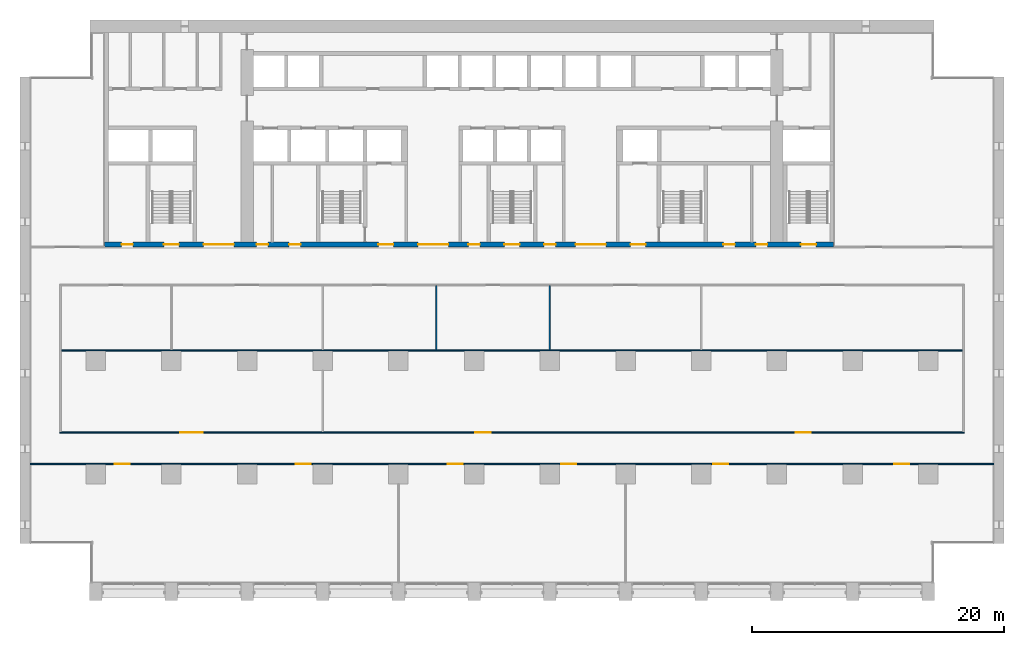
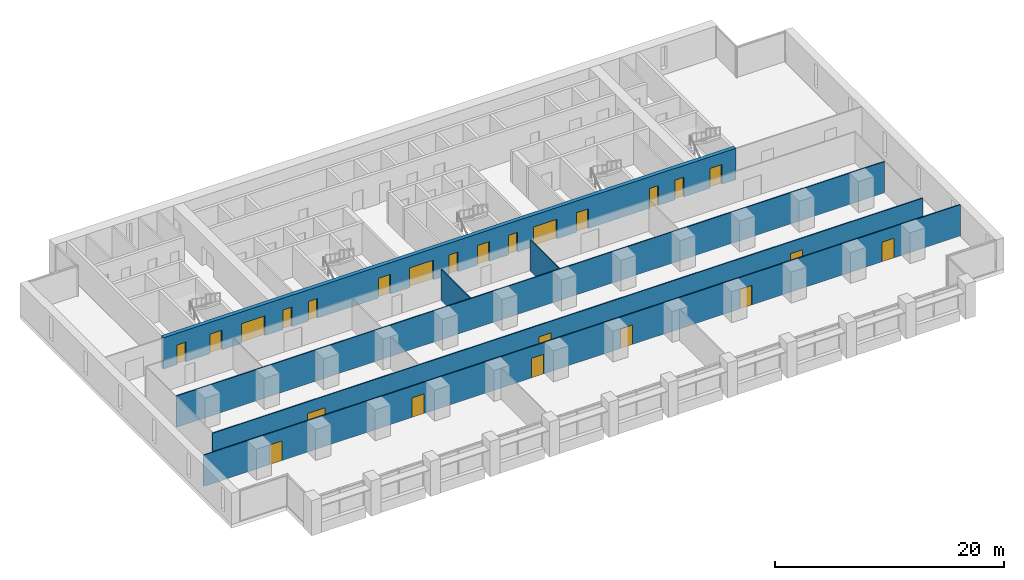
# One storey, part 9 of 17: 24 doors, 6 walls, 24 openings.
"""IFC4 building model written with IfcOpenShell, lengths in metres."""

from ifc_helpers import new_model, si_unit, direction, frame, frame_2d, origin, place, context, subcontext, project, spatial, rectangle, extrude, material, layer, layer_set, type_object, element, fill, save


model = new_model("IFC4")

# Units and contexts
model_context = context("Model", 3, precision=1e-05, world=origin(), true_north=direction((0.0, 1.0)))
body_context = subcontext(model_context, "Body", "Model", "MODEL_VIEW")
ifc_project = project(units=[si_unit("LENGTHUNIT", "METRE"), si_unit("AREAUNIT", "SQUARE_METRE"), si_unit("VOLUMEUNIT", "CUBIC_METRE"), si_unit("PLANEANGLEUNIT", "RADIAN"), si_unit("MASSUNIT", "GRAM", prefix="KILO")], contexts=[model_context])

# Site, building, storey
site_placement = place(None, origin())
site = spatial("IfcSite", under=ifc_project, at=site_placement, CompositionType="ELEMENT")
building_placement = place(site_placement, origin())
building = spatial("IfcBuilding", under=site, at=building_placement, Name="Calvaro Tower", CompositionType="ELEMENT")
storey_placement = place(building_placement, frame((0.0, 0.0, 75.0)))
storey = spatial("IfcBuildingStorey", under=building, at=storey_placement, Name="L18", CompositionType="ELEMENT", Elevation=75.0)

# Wall, openings, doors
ifc_material_1 = material(Name="Concrete C80/95", Category="concrete")
ifc_layer_1 = layer(ifc_material_1, 0.39990234375)
ifc_layer_set_1 = layer_set([ifc_layer_1], Name="Concrete C80/95")
wall_type_1 = type_object("IfcWallType", Name="Core wall C80/95 400", PredefinedType="SHEAR", material=ifc_layer_set_1)
wall_1_placement = place(storey_placement, frame((6.699951171875, 28.199951171875, 0.0), z_axis=(0.0, 0.0, 1.0), x_axis=(1.0, 0.0, 0.0)))
wall_1 = element("IfcWall", 1, at=wall_1_placement, inside=storey, type_object=wall_type_1, Name="Core wall, front", PredefinedType="SHEAR", context=body_context, shape_type="SweptSolid", body=[
    extrude(rectangle(XDim=57.800048828125, YDim=0.39990234375, at=frame_2d((28.89990234375, 0.0))), origin(), (0.0, 0.0, 1.0), 3.35009765625),
])
opening_1_placement = place(wall_1_placement, frame((12.0625, 0.0, 0.0)))
opening_1 = element("IfcOpeningElement", 2, at=opening_1_placement, cuts=wall_1, Name="Opening RD9C", PredefinedType="OPENING", context=body_context, shape_type="SweptSolid", body=[
    extrude(rectangle(XDim=0.89990234375, YDim=2.10009765625, at=frame_2d((0.449951171875, 1.050048828125))), frame((0.0, 0.2099609375, 0.0), z_axis=(0.0, -1.0, 0.0), x_axis=(1.0, 0.0, 0.0)), (0.0, 0.0, 1.0), 0.419921875),
])
opening_2_placement = place(wall_1_placement, frame((14.637451171875, 0.0, 0.0)))
opening_2 = element("IfcOpeningElement", 3, at=opening_2_placement, cuts=wall_1, Name="Opening RD9E", PredefinedType="OPENING", context=body_context, shape_type="SweptSolid", body=[
    extrude(rectangle(XDim=0.89990234375, YDim=2.10009765625, at=frame_2d((0.449951171875, 1.050048828125))), frame((0.0, 0.2099609375, 0.0), z_axis=(0.0, -1.0, 0.0), x_axis=(1.0, 0.0, 0.0)), (0.0, 0.0, 1.0), 0.419921875),
])
opening_3_placement = place(wall_1_placement, frame((49.0625, 0.0, 0.0)))
opening_3 = element("IfcOpeningElement", 4, at=opening_3_placement, cuts=wall_1, Name="Opening RD9E", PredefinedType="OPENING", context=body_context, shape_type="SweptSolid", body=[
    extrude(rectangle(XDim=0.89990234375, YDim=2.10009765625, at=frame_2d((0.449951171875, 1.050048828125))), frame((0.0, 0.2099609375, 0.0), z_axis=(0.0, -1.0, 0.0), x_axis=(1.0, 0.0, 0.0)), (0.0, 0.0, 1.0), 0.419921875),
])
opening_4_placement = place(wall_1_placement, frame((51.637451171875, 0.0, 0.0)))
opening_4 = element("IfcOpeningElement", 5, at=opening_4_placement, cuts=wall_1, Name="Opening RD9C", PredefinedType="OPENING", context=body_context, shape_type="SweptSolid", body=[
    extrude(rectangle(XDim=0.89990234375, YDim=2.10009765625, at=frame_2d((0.449951171875, 1.050048828125))), frame((0.0, 0.2099609375, 0.0), z_axis=(0.0, -1.0, 0.0), x_axis=(1.0, 0.0, 0.0)), (0.0, 0.0, 1.0), 0.419921875),
])
opening_5_placement = place(wall_1_placement, frame((1.35009765625, 0.0, 0.0)))
opening_5 = element("IfcOpeningElement", 6, at=opening_5_placement, cuts=wall_1, Name="Opening RD9E", PredefinedType="OPENING", context=body_context, shape_type="SweptSolid", body=[
    extrude(rectangle(XDim=0.89990234375, YDim=2.10009765625, at=frame_2d((0.449951171875, 1.050048828125))), frame((0.0, 0.2099609375, 0.0), z_axis=(0.0, -1.0, 0.0), x_axis=(1.0, 0.0, 0.0)), (0.0, 0.0, 1.0), 0.419921875),
])
opening_6_placement = place(wall_1_placement, frame((4.699951171875, 0.0, 0.0)))
opening_6 = element("IfcOpeningElement", 7, at=opening_6_placement, cuts=wall_1, Name="Opening SD12D", PredefinedType="OPENING", context=body_context, shape_type="SweptSolid", body=[
    extrude(rectangle(XDim=1.199951171875, YDim=2.10009765625, at=frame_2d((0.60009765625, 1.050048828125))), frame((0.0, 0.2099609375, 0.0), z_axis=(0.0, -1.0, 0.0), x_axis=(1.0, 0.0, 0.0)), (0.0, 0.0, 1.0), 0.419921875),
])
opening_7_placement = place(wall_1_placement, frame((31.699951171875, 0.0, 0.0)))
opening_7 = element("IfcOpeningElement", 8, at=opening_7_placement, cuts=wall_1, Name="Opening SD12D", PredefinedType="OPENING", context=body_context, shape_type="SweptSolid", body=[
    extrude(rectangle(XDim=1.199951171875, YDim=2.10009765625, at=frame_2d((0.60009765625, 1.050048828125))), frame((0.0, 0.2099609375, 0.0), z_axis=(0.0, -1.0, 0.0), x_axis=(1.0, 0.0, 0.0)), (0.0, 0.0, 1.0), 0.419921875),
])
opening_8_placement = place(wall_1_placement, frame((55.199951171875, 0.0, 0.0)))
opening_8 = element("IfcOpeningElement", 9, at=opening_8_placement, cuts=wall_1, Name="Opening SD12D", PredefinedType="OPENING", context=body_context, shape_type="SweptSolid", body=[
    extrude(rectangle(XDim=1.199951171875, YDim=2.10009765625, at=frame_2d((0.60009765625, 1.050048828125))), frame((0.0, 0.2099609375, 0.0), z_axis=(0.0, -1.0, 0.0), x_axis=(1.0, 0.0, 0.0)), (0.0, 0.0, 1.0), 0.419921875),
])
opening_9_placement = place(wall_1_placement, frame((21.699951171875, 0.0, 0.0)))
opening_9 = element("IfcOpeningElement", 10, at=opening_9_placement, cuts=wall_1, Name="Opening FD12F", PredefinedType="OPENING", context=body_context, shape_type="SweptSolid", body=[
    extrude(rectangle(XDim=1.199951171875, YDim=2.10009765625, at=frame_2d((0.60009765625, 1.050048828125))), frame((0.0, 0.2099609375, 0.0), z_axis=(0.0, -1.0, 0.0), x_axis=(1.0, 0.0, 0.0)), (0.0, 0.0, 1.0), 0.419921875),
])
opening_10_placement = place(wall_1_placement, frame((41.699951171875, 0.0, 0.0)))
opening_10 = element("IfcOpeningElement", 11, at=opening_10_placement, cuts=wall_1, Name="Opening FD12F", PredefinedType="OPENING", context=body_context, shape_type="SweptSolid", body=[
    extrude(rectangle(XDim=1.199951171875, YDim=2.10009765625, at=frame_2d((0.60009765625, 1.050048828125))), frame((0.0, 0.2099609375, 0.0), z_axis=(0.0, -1.0, 0.0), x_axis=(1.0, 0.0, 0.0)), (0.0, 0.0, 1.0), 0.419921875),
])
opening_11_placement = place(wall_1_placement, frame((24.85009765625, 0.0, 0.0)))
opening_11 = element("IfcOpeningElement", 12, at=opening_11_placement, cuts=wall_1, Name="Opening DD24D", PredefinedType="OPENING", context=body_context, shape_type="SweptSolid", body=[
    extrude(rectangle(XDim=2.39990234375, YDim=2.10009765625, at=frame_2d((1.199951171875, 1.050048828125))), frame((0.0, 0.2099609375, 0.0), z_axis=(0.0, -1.0, 0.0), x_axis=(1.0, 0.0, 0.0)), (0.0, 0.0, 1.0), 0.419921875),
])
opening_12_placement = place(wall_1_placement, frame((37.35009765625, 0.0, 0.0)))
opening_12 = element("IfcOpeningElement", 13, at=opening_12_placement, cuts=wall_1, Name="Opening DD24D", PredefinedType="OPENING", context=body_context, shape_type="SweptSolid", body=[
    extrude(rectangle(XDim=2.39990234375, YDim=2.10009765625, at=frame_2d((1.199951171875, 1.050048828125))), frame((0.0, 0.2099609375, 0.0), z_axis=(0.0, -1.0, 0.0), x_axis=(1.0, 0.0, 0.0)), (0.0, 0.0, 1.0), 0.419921875),
])
opening_13_placement = place(wall_1_placement, frame((7.85009765625, 0.0, 0.0)))
opening_13 = element("IfcOpeningElement", 14, at=opening_13_placement, cuts=wall_1, Name="Opening DD24D", PredefinedType="OPENING", context=body_context, shape_type="SweptSolid", body=[
    extrude(rectangle(XDim=2.39990234375, YDim=2.10009765625, at=frame_2d((1.199951171875, 1.050048828125))), frame((0.0, 0.2099609375, 0.0), z_axis=(0.0, -1.0, 0.0), x_axis=(1.0, 0.0, 0.0)), (0.0, 0.0, 1.0), 0.419921875),
])
opening_14_placement = place(wall_1_placement, frame((28.85009765625, 0.0, 0.0)))
opening_14 = element("IfcOpeningElement", 15, at=opening_14_placement, cuts=wall_1, Name="Opening RD9E", PredefinedType="OPENING", context=body_context, shape_type="SweptSolid", body=[
    extrude(rectangle(XDim=0.89990234375, YDim=2.10009765625, at=frame_2d((0.449951171875, 1.050048828125))), frame((0.0, 0.2099609375, 0.0), z_axis=(0.0, -1.0, 0.0), x_axis=(1.0, 0.0, 0.0)), (0.0, 0.0, 1.0), 0.419921875),
])
opening_15_placement = place(wall_1_placement, frame((34.85009765625, 0.0, 0.0)))
opening_15 = element("IfcOpeningElement", 16, at=opening_15_placement, cuts=wall_1, Name="Opening RD9E", PredefinedType="OPENING", context=body_context, shape_type="SweptSolid", body=[
    extrude(rectangle(XDim=0.89990234375, YDim=2.10009765625, at=frame_2d((0.449951171875, 1.050048828125))), frame((0.0, 0.2099609375, 0.0), z_axis=(0.0, -1.0, 0.0), x_axis=(1.0, 0.0, 0.0)), (0.0, 0.0, 1.0), 0.419921875),
])
ifc_material_2 = material(Name="Steel door set", Category="steel")
door_type_1 = type_object("IfcDoorType", Name="Fire door 1200 FD60S", OperationType="SINGLE_SWING_LEFT", PredefinedType="DOOR", material=ifc_material_2)
door_1_placement = place(opening_9_placement, origin())
door_1 = element("IfcDoor", 17, at=door_1_placement, inside=storey, type_object=door_type_1, Name="Fire door", OperationType="SINGLE_SWING_LEFT", OverallHeight=2.10009765625, OverallWidth=1.199951171875, PredefinedType="DOOR", context=body_context, shape_type="SweptSolid", body=[
    extrude(rectangle(XDim=1.199951171875, YDim=2.10009765625, at=frame_2d((0.60009765625, 1.050048828125))), frame((0.0, 0.02490234375, 0.0), z_axis=(0.0, -1.0, 0.0), x_axis=(1.0, 0.0, 0.0)), (0.0, 0.0, 1.0), 0.050048828125),
])
fill(opening_9, door_1)
door_2_placement = place(opening_10_placement, origin())
door_2 = element("IfcDoor", 18, at=door_2_placement, inside=storey, type_object=door_type_1, Name="Fire door", OperationType="SINGLE_SWING_LEFT", OverallHeight=2.10009765625, OverallWidth=1.199951171875, PredefinedType="DOOR", context=body_context, shape_type="SweptSolid", body=[
    extrude(rectangle(XDim=1.199951171875, YDim=2.10009765625, at=frame_2d((0.60009765625, 1.050048828125))), frame((0.0, 0.02490234375, 0.0), z_axis=(0.0, -1.0, 0.0), x_axis=(1.0, 0.0, 0.0)), (0.0, 0.0, 1.0), 0.050048828125),
])
fill(opening_10, door_2)
ifc_material_3 = material(Name="Steel door set", Category="steel")
door_type_2 = type_object("IfcDoorType", Name="Lobby double door 2400 FD30S", OperationType="DOUBLE_DOOR_SINGLE_SWING", PredefinedType="DOOR", material=ifc_material_3)
door_3_placement = place(opening_11_placement, origin())
door_3 = element("IfcDoor", 19, at=door_3_placement, inside=storey, type_object=door_type_2, Name="Lobby double door", OperationType="DOUBLE_DOOR_SINGLE_SWING", OverallHeight=2.10009765625, OverallWidth=2.39990234375, PredefinedType="DOOR", context=body_context, shape_type="SweptSolid", body=[
    extrude(rectangle(XDim=2.39990234375, YDim=2.10009765625, at=frame_2d((1.199951171875, 1.050048828125))), frame((0.0, 0.02490234375, 0.0), z_axis=(0.0, -1.0, 0.0), x_axis=(1.0, 0.0, 0.0)), (0.0, 0.0, 1.0), 0.050048828125),
])
fill(opening_11, door_3)
door_4_placement = place(opening_12_placement, origin())
door_4 = element("IfcDoor", 20, at=door_4_placement, inside=storey, type_object=door_type_2, Name="Lobby double door", OperationType="DOUBLE_DOOR_SINGLE_SWING", OverallHeight=2.10009765625, OverallWidth=2.39990234375, PredefinedType="DOOR", context=body_context, shape_type="SweptSolid", body=[
    extrude(rectangle(XDim=2.39990234375, YDim=2.10009765625, at=frame_2d((1.199951171875, 1.050048828125))), frame((0.0, 0.02490234375, 0.0), z_axis=(0.0, -1.0, 0.0), x_axis=(1.0, 0.0, 0.0)), (0.0, 0.0, 1.0), 0.050048828125),
])
fill(opening_12, door_4)
door_5_placement = place(opening_13_placement, origin())
door_5 = element("IfcDoor", 21, at=door_5_placement, inside=storey, type_object=door_type_2, Name="Lobby double door", OperationType="DOUBLE_DOOR_SINGLE_SWING", OverallHeight=2.10009765625, OverallWidth=2.39990234375, PredefinedType="DOOR", context=body_context, shape_type="SweptSolid", body=[
    extrude(rectangle(XDim=2.39990234375, YDim=2.10009765625, at=frame_2d((1.199951171875, 1.050048828125))), frame((0.0, 0.02490234375, 0.0), z_axis=(0.0, -1.0, 0.0), x_axis=(1.0, 0.0, 0.0)), (0.0, 0.0, 1.0), 0.050048828125),
])
fill(opening_13, door_5)
ifc_material_4 = material(Name="Steel door set", Category="steel")
door_type_3 = type_object("IfcDoorType", Name="Room door 900 FD30", OperationType="SINGLE_SWING_LEFT", PredefinedType="DOOR", material=ifc_material_4)
door_6_placement = place(opening_1_placement, origin())
door_6 = element("IfcDoor", 22, at=door_6_placement, inside=storey, type_object=door_type_3, Name="Room door", OperationType="SINGLE_SWING_LEFT", OverallHeight=2.10009765625, OverallWidth=0.89990234375, PredefinedType="DOOR", context=body_context, shape_type="SweptSolid", body=[
    extrude(rectangle(XDim=0.89990234375, YDim=2.10009765625, at=frame_2d((0.449951171875, 1.050048828125))), frame((0.0, 0.02490234375, 0.0), z_axis=(0.0, -1.0, 0.0), x_axis=(1.0, 0.0, 0.0)), (0.0, 0.0, 1.0), 0.050048828125),
])
fill(opening_1, door_6)
door_7_placement = place(opening_4_placement, origin())
door_7 = element("IfcDoor", 23, at=door_7_placement, inside=storey, type_object=door_type_3, Name="Room door", OperationType="SINGLE_SWING_LEFT", OverallHeight=2.10009765625, OverallWidth=0.89990234375, PredefinedType="DOOR", context=body_context, shape_type="SweptSolid", body=[
    extrude(rectangle(XDim=0.89990234375, YDim=2.10009765625, at=frame_2d((0.449951171875, 1.050048828125))), frame((0.0, 0.02490234375, 0.0), z_axis=(0.0, -1.0, 0.0), x_axis=(1.0, 0.0, 0.0)), (0.0, 0.0, 1.0), 0.050048828125),
])
fill(opening_4, door_7)
ifc_material_5 = material(Name="Steel door set", Category="steel")
door_type_4 = type_object("IfcDoorType", Name="Room door 900 FD60", OperationType="SINGLE_SWING_LEFT", PredefinedType="DOOR", material=ifc_material_5)
door_8_placement = place(opening_2_placement, origin())
door_8 = element("IfcDoor", 24, at=door_8_placement, inside=storey, type_object=door_type_4, Name="Room door", OperationType="SINGLE_SWING_RIGHT", OverallHeight=2.10009765625, OverallWidth=0.89990234375, PredefinedType="DOOR", context=body_context, shape_type="SweptSolid", body=[
    extrude(rectangle(XDim=0.89990234375, YDim=2.10009765625, at=frame_2d((0.449951171875, 1.050048828125))), frame((0.0, 0.02490234375, 0.0), z_axis=(0.0, -1.0, 0.0), x_axis=(1.0, 0.0, 0.0)), (0.0, 0.0, 1.0), 0.050048828125),
])
fill(opening_2, door_8)
door_9_placement = place(opening_3_placement, origin())
door_9 = element("IfcDoor", 25, at=door_9_placement, inside=storey, type_object=door_type_4, Name="Room door", OperationType="SINGLE_SWING_LEFT", OverallHeight=2.10009765625, OverallWidth=0.89990234375, PredefinedType="DOOR", context=body_context, shape_type="SweptSolid", body=[
    extrude(rectangle(XDim=0.89990234375, YDim=2.10009765625, at=frame_2d((0.449951171875, 1.050048828125))), frame((0.0, 0.02490234375, 0.0), z_axis=(0.0, -1.0, 0.0), x_axis=(1.0, 0.0, 0.0)), (0.0, 0.0, 1.0), 0.050048828125),
])
fill(opening_3, door_9)
door_10_placement = place(opening_5_placement, origin())
door_10 = element("IfcDoor", 26, at=door_10_placement, inside=storey, type_object=door_type_4, Name="Room door", OperationType="SINGLE_SWING_LEFT", OverallHeight=2.10009765625, OverallWidth=0.89990234375, PredefinedType="DOOR", context=body_context, shape_type="SweptSolid", body=[
    extrude(rectangle(XDim=0.89990234375, YDim=2.10009765625, at=frame_2d((0.449951171875, 1.050048828125))), frame((0.0, 0.02490234375, 0.0), z_axis=(0.0, -1.0, 0.0), x_axis=(1.0, 0.0, 0.0)), (0.0, 0.0, 1.0), 0.050048828125),
])
fill(opening_5, door_10)
door_11_placement = place(opening_14_placement, origin())
door_11 = element("IfcDoor", 27, at=door_11_placement, inside=storey, type_object=door_type_4, Name="Room door", OperationType="SINGLE_SWING_LEFT", OverallHeight=2.10009765625, OverallWidth=0.89990234375, PredefinedType="DOOR", context=body_context, shape_type="SweptSolid", body=[
    extrude(rectangle(XDim=0.89990234375, YDim=2.10009765625, at=frame_2d((0.449951171875, 1.050048828125))), frame((0.0, 0.02490234375, 0.0), z_axis=(0.0, -1.0, 0.0), x_axis=(1.0, 0.0, 0.0)), (0.0, 0.0, 1.0), 0.050048828125),
])
fill(opening_14, door_11)
door_12_placement = place(opening_15_placement, origin())
door_12 = element("IfcDoor", 28, at=door_12_placement, inside=storey, type_object=door_type_4, Name="Room door", OperationType="SINGLE_SWING_LEFT", OverallHeight=2.10009765625, OverallWidth=0.89990234375, PredefinedType="DOOR", context=body_context, shape_type="SweptSolid", body=[
    extrude(rectangle(XDim=0.89990234375, YDim=2.10009765625, at=frame_2d((0.449951171875, 1.050048828125))), frame((0.0, 0.02490234375, 0.0), z_axis=(0.0, -1.0, 0.0), x_axis=(1.0, 0.0, 0.0)), (0.0, 0.0, 1.0), 0.050048828125),
])
fill(opening_15, door_12)
ifc_material_6 = material(Name="Steel door set", Category="steel")
door_type_5 = type_object("IfcDoorType", Name="Stair door 1200 FD30S", OperationType="SINGLE_SWING_LEFT", PredefinedType="DOOR", material=ifc_material_6)
door_13_placement = place(opening_6_placement, origin())
door_13 = element("IfcDoor", 29, at=door_13_placement, inside=storey, type_object=door_type_5, Name="Stair door", OperationType="SINGLE_SWING_LEFT", OverallHeight=2.10009765625, OverallWidth=1.199951171875, PredefinedType="DOOR", context=body_context, shape_type="SweptSolid", body=[
    extrude(rectangle(XDim=1.199951171875, YDim=2.10009765625, at=frame_2d((0.60009765625, 1.050048828125))), frame((0.0, 0.02490234375, 0.0), z_axis=(0.0, -1.0, 0.0), x_axis=(1.0, 0.0, 0.0)), (0.0, 0.0, 1.0), 0.050048828125),
])
fill(opening_6, door_13)
door_14_placement = place(opening_7_placement, origin())
door_14 = element("IfcDoor", 30, at=door_14_placement, inside=storey, type_object=door_type_5, Name="Stair door", OperationType="SINGLE_SWING_LEFT", OverallHeight=2.10009765625, OverallWidth=1.199951171875, PredefinedType="DOOR", context=body_context, shape_type="SweptSolid", body=[
    extrude(rectangle(XDim=1.199951171875, YDim=2.10009765625, at=frame_2d((0.60009765625, 1.050048828125))), frame((0.0, 0.02490234375, 0.0), z_axis=(0.0, -1.0, 0.0), x_axis=(1.0, 0.0, 0.0)), (0.0, 0.0, 1.0), 0.050048828125),
])
fill(opening_7, door_14)
door_15_placement = place(opening_8_placement, origin())
door_15 = element("IfcDoor", 31, at=door_15_placement, inside=storey, type_object=door_type_5, Name="Stair door", OperationType="SINGLE_SWING_LEFT", OverallHeight=2.10009765625, OverallWidth=1.199951171875, PredefinedType="DOOR", context=body_context, shape_type="SweptSolid", body=[
    extrude(rectangle(XDim=1.199951171875, YDim=2.10009765625, at=frame_2d((0.60009765625, 1.050048828125))), frame((0.0, 0.02490234375, 0.0), z_axis=(0.0, -1.0, 0.0), x_axis=(1.0, 0.0, 0.0)), (0.0, 0.0, 1.0), 0.050048828125),
])
fill(opening_8, door_15)

ifc_material_7 = material(Name="Plasterboard on steel studs", Category="steel")
ifc_layer_2 = layer(ifc_material_7, 0.10009765625)
ifc_layer_set_2 = layer_set([ifc_layer_2], Name="Plasterboard on steel studs")
wall_type_2 = type_object("IfcWallType", Name="Partition 100", PredefinedType="PARTITIONING", material=ifc_layer_set_2)
wall_2_placement = place(storey_placement, frame((0.800048828125, 10.800048828125, 0.0), z_axis=(0.0, 0.0, 1.0), x_axis=(1.0, 0.0, 0.0)))
wall_2 = element("IfcWall", 32, at=wall_2_placement, inside=storey, type_object=wall_type_2, Name="Partition T13.W001", PredefinedType="PARTITIONING", context=body_context, shape_type="SweptSolid", body=[
    extrude(rectangle(XDim=76.39990234375, YDim=0.10009765625, at=frame_2d((38.199951171875, 0.0))), origin(), (0.0, 0.0, 1.0), 3.35009765625),
])
opening_16_placement = place(wall_2_placement, frame((33.10009765625, 0.0, 0.0)))
opening_16 = element("IfcOpeningElement", 33, at=opening_16_placement, cuts=wall_2, Name="Opening T13.001", PredefinedType="OPENING", context=body_context, shape_type="SweptSolid", body=[
    extrude(rectangle(XDim=1.199951171875, YDim=2.10009765625, at=frame_2d((0.60009765625, 1.050048828125))), frame((0.0, 0.06005859375, 0.0), z_axis=(0.0, -1.0, 0.0), x_axis=(1.0, 0.0, 0.0)), (0.0, 0.0, 1.0), 0.1201171875),
])
opening_17_placement = place(wall_2_placement, frame((42.10009765625, 0.0, 0.0)))
opening_17 = element("IfcOpeningElement", 34, at=opening_17_placement, cuts=wall_2, Name="Opening T13.002", PredefinedType="OPENING", context=body_context, shape_type="SweptSolid", body=[
    extrude(rectangle(XDim=1.199951171875, YDim=2.10009765625, at=frame_2d((0.60009765625, 1.050048828125))), frame((0.0, 0.06005859375, 0.0), z_axis=(0.0, -1.0, 0.0), x_axis=(1.0, 0.0, 0.0)), (0.0, 0.0, 1.0), 0.1201171875),
])
opening_18_placement = place(wall_2_placement, frame((6.699951171875, 0.0, 0.0)))
opening_18 = element("IfcOpeningElement", 35, at=opening_18_placement, cuts=wall_2, Name="Opening T13.003", PredefinedType="OPENING", context=body_context, shape_type="SweptSolid", body=[
    extrude(rectangle(XDim=1.199951171875, YDim=2.10009765625, at=frame_2d((0.60009765625, 1.050048828125))), frame((0.0, 0.06005859375, 0.0), z_axis=(0.0, -1.0, 0.0), x_axis=(1.0, 0.0, 0.0)), (0.0, 0.0, 1.0), 0.1201171875),
])
opening_19_placement = place(wall_2_placement, frame((21.050048828125, 0.0, 0.0)))
opening_19 = element("IfcOpeningElement", 36, at=opening_19_placement, cuts=wall_2, Name="Opening T13.004", PredefinedType="OPENING", context=body_context, shape_type="SweptSolid", body=[
    extrude(rectangle(XDim=1.199951171875, YDim=2.10009765625, at=frame_2d((0.60009765625, 1.050048828125))), frame((0.0, 0.06005859375, 0.0), z_axis=(0.0, -1.0, 0.0), x_axis=(1.0, 0.0, 0.0)), (0.0, 0.0, 1.0), 0.1201171875),
])
opening_20_placement = place(wall_2_placement, frame((54.14990234375, 0.0, 0.0)))
opening_20 = element("IfcOpeningElement", 37, at=opening_20_placement, cuts=wall_2, Name="Opening T13.005", PredefinedType="OPENING", context=body_context, shape_type="SweptSolid", body=[
    extrude(rectangle(XDim=1.199951171875, YDim=2.10009765625, at=frame_2d((0.60009765625, 1.050048828125))), frame((0.0, 0.06005859375, 0.0), z_axis=(0.0, -1.0, 0.0), x_axis=(1.0, 0.0, 0.0)), (0.0, 0.0, 1.0), 0.1201171875),
])
opening_21_placement = place(wall_2_placement, frame((68.5, 0.0, 0.0)))
opening_21 = element("IfcOpeningElement", 38, at=opening_21_placement, cuts=wall_2, Name="Opening T13.006", PredefinedType="OPENING", context=body_context, shape_type="SweptSolid", body=[
    extrude(rectangle(XDim=1.199951171875, YDim=2.10009765625, at=frame_2d((0.60009765625, 1.050048828125))), frame((0.0, 0.06005859375, 0.0), z_axis=(0.0, -1.0, 0.0), x_axis=(1.0, 0.0, 0.0)), (0.0, 0.0, 1.0), 0.1201171875),
])
ifc_material_8 = material(Name="Timber", Category="wood")
door_type_6 = type_object("IfcDoorType", Name="Internal single door 1200 x 2100", OperationType="SINGLE_SWING_LEFT", PredefinedType="DOOR", material=ifc_material_8)
door_16_placement = place(opening_16_placement, origin())
door_16 = element("IfcDoor", 39, at=door_16_placement, inside=storey, type_object=door_type_6, Name="Door T13.001", OperationType="SINGLE_SWING_LEFT", OverallHeight=2.10009765625, OverallWidth=1.199951171875, PredefinedType="DOOR", context=body_context, shape_type="SweptSolid", body=[
    extrude(rectangle(XDim=1.199951171875, YDim=2.10009765625, at=frame_2d((0.60009765625, 1.050048828125))), frame((0.0, 0.02490234375, 0.0), z_axis=(0.0, -1.0, 0.0), x_axis=(1.0, 0.0, 0.0)), (0.0, 0.0, 1.0), 0.050048828125),
])
fill(opening_16, door_16)
door_17_placement = place(opening_17_placement, origin())
door_17 = element("IfcDoor", 40, at=door_17_placement, inside=storey, type_object=door_type_6, Name="Door T13.002", OperationType="SINGLE_SWING_RIGHT", OverallHeight=2.10009765625, OverallWidth=1.199951171875, PredefinedType="DOOR", context=body_context, shape_type="SweptSolid", body=[
    extrude(rectangle(XDim=1.199951171875, YDim=2.10009765625, at=frame_2d((0.60009765625, 1.050048828125))), frame((0.0, 0.02490234375, 0.0), z_axis=(0.0, -1.0, 0.0), x_axis=(1.0, 0.0, 0.0)), (0.0, 0.0, 1.0), 0.050048828125),
])
fill(opening_17, door_17)
door_18_placement = place(opening_18_placement, origin())
door_18 = element("IfcDoor", 41, at=door_18_placement, inside=storey, type_object=door_type_6, Name="Door T13.003", OperationType="SINGLE_SWING_LEFT", OverallHeight=2.10009765625, OverallWidth=1.199951171875, PredefinedType="DOOR", context=body_context, shape_type="SweptSolid", body=[
    extrude(rectangle(XDim=1.199951171875, YDim=2.10009765625, at=frame_2d((0.60009765625, 1.050048828125))), frame((0.0, 0.02490234375, 0.0), z_axis=(0.0, -1.0, 0.0), x_axis=(1.0, 0.0, 0.0)), (0.0, 0.0, 1.0), 0.050048828125),
])
fill(opening_18, door_18)
door_19_placement = place(opening_19_placement, origin())
door_19 = element("IfcDoor", 42, at=door_19_placement, inside=storey, type_object=door_type_6, Name="Door T13.004", OperationType="SINGLE_SWING_LEFT", OverallHeight=2.10009765625, OverallWidth=1.199951171875, PredefinedType="DOOR", context=body_context, shape_type="SweptSolid", body=[
    extrude(rectangle(XDim=1.199951171875, YDim=2.10009765625, at=frame_2d((0.60009765625, 1.050048828125))), frame((0.0, 0.02490234375, 0.0), z_axis=(0.0, -1.0, 0.0), x_axis=(1.0, 0.0, 0.0)), (0.0, 0.0, 1.0), 0.050048828125),
])
fill(opening_19, door_19)
door_20_placement = place(opening_20_placement, origin())
door_20 = element("IfcDoor", 43, at=door_20_placement, inside=storey, type_object=door_type_6, Name="Door T13.005", OperationType="SINGLE_SWING_RIGHT", OverallHeight=2.10009765625, OverallWidth=1.199951171875, PredefinedType="DOOR", context=body_context, shape_type="SweptSolid", body=[
    extrude(rectangle(XDim=1.199951171875, YDim=2.10009765625, at=frame_2d((0.60009765625, 1.050048828125))), frame((0.0, 0.02490234375, 0.0), z_axis=(0.0, -1.0, 0.0), x_axis=(1.0, 0.0, 0.0)), (0.0, 0.0, 1.0), 0.050048828125),
])
fill(opening_20, door_20)
door_21_placement = place(opening_21_placement, origin())
door_21 = element("IfcDoor", 44, at=door_21_placement, inside=storey, type_object=door_type_6, Name="Door T13.006", OperationType="SINGLE_SWING_RIGHT", OverallHeight=2.10009765625, OverallWidth=1.199951171875, PredefinedType="DOOR", context=body_context, shape_type="SweptSolid", body=[
    extrude(rectangle(XDim=1.199951171875, YDim=2.10009765625, at=frame_2d((0.60009765625, 1.050048828125))), frame((0.0, 0.02490234375, 0.0), z_axis=(0.0, -1.0, 0.0), x_axis=(1.0, 0.0, 0.0)), (0.0, 0.0, 1.0), 0.050048828125),
])
fill(opening_21, door_21)

wall_3_placement = place(storey_placement, frame((3.14990234375, 13.300048828125, 0.0), z_axis=(0.0, 0.0, 1.0), x_axis=(1.0, 0.0, 0.0)))
wall_3 = element("IfcWall", 45, at=wall_3_placement, inside=storey, type_object=wall_type_2, Name="Partition T13.W002", PredefinedType="PARTITIONING", context=body_context, shape_type="SweptSolid", body=[
    extrude(rectangle(XDim=71.7001953125, YDim=0.10009765625, at=frame_2d((35.85009765625, 0.0))), origin(), (0.0, 0.0, 1.0), 3.35009765625),
])
opening_22_placement = place(wall_3_placement, frame((9.550048828125, 0.0, 0.0)))
opening_22 = element("IfcOpeningElement", 46, at=opening_22_placement, cuts=wall_3, Name="Opening T13.007", PredefinedType="OPENING", context=body_context, shape_type="SweptSolid", body=[
    extrude(rectangle(XDim=1.800048828125, YDim=2.10009765625, at=frame_2d((0.89990234375, 1.050048828125))), frame((0.0, 0.06005859375, 0.0), z_axis=(0.0, -1.0, 0.0), x_axis=(1.0, 0.0, 0.0)), (0.0, 0.0, 1.0), 0.1201171875),
])
opening_23_placement = place(wall_3_placement, frame((32.949951171875, 0.0, 0.0)))
opening_23 = element("IfcOpeningElement", 47, at=opening_23_placement, cuts=wall_3, Name="Opening T13.008", PredefinedType="OPENING", context=body_context, shape_type="SweptSolid", body=[
    extrude(rectangle(XDim=1.199951171875, YDim=2.10009765625, at=frame_2d((0.60009765625, 1.050048828125))), frame((0.0, 0.06005859375, 0.0), z_axis=(0.0, -1.0, 0.0), x_axis=(1.0, 0.0, 0.0)), (0.0, 0.0, 1.0), 0.1201171875),
])
opening_24_placement = place(wall_3_placement, frame((58.35009765625, 0.0, 0.0)))
opening_24 = element("IfcOpeningElement", 48, at=opening_24_placement, cuts=wall_3, Name="Opening T13.009", PredefinedType="OPENING", context=body_context, shape_type="SweptSolid", body=[
    extrude(rectangle(XDim=1.199951171875, YDim=2.10009765625, at=frame_2d((0.60009765625, 1.050048828125))), frame((0.0, 0.06005859375, 0.0), z_axis=(0.0, -1.0, 0.0), x_axis=(1.0, 0.0, 0.0)), (0.0, 0.0, 1.0), 0.1201171875),
])
ifc_material_9 = material(Name="Timber", Category="wood")
door_type_7 = type_object("IfcDoorType", Name="Internal double door 1800 x 2100", OperationType="DOUBLE_DOOR_SINGLE_SWING", PredefinedType="DOOR", material=ifc_material_9)
door_22_placement = place(opening_22_placement, origin())
door_22 = element("IfcDoor", 49, at=door_22_placement, inside=storey, type_object=door_type_7, Name="Door T13.007", OperationType="DOUBLE_DOOR_SINGLE_SWING", OverallHeight=2.10009765625, OverallWidth=1.800048828125, PredefinedType="DOOR", context=body_context, shape_type="SweptSolid", body=[
    extrude(rectangle(XDim=1.800048828125, YDim=2.10009765625, at=frame_2d((0.89990234375, 1.050048828125))), frame((0.0, 0.02490234375, 0.0), z_axis=(0.0, -1.0, 0.0), x_axis=(1.0, 0.0, 0.0)), (0.0, 0.0, 1.0), 0.050048828125),
])
fill(opening_22, door_22)
door_23_placement = place(opening_23_placement, origin())
door_23 = element("IfcDoor", 50, at=door_23_placement, inside=storey, type_object=door_type_6, Name="Door T13.008", OperationType="SINGLE_SWING_LEFT", OverallHeight=2.10009765625, OverallWidth=1.199951171875, PredefinedType="DOOR", context=body_context, shape_type="SweptSolid", body=[
    extrude(rectangle(XDim=1.199951171875, YDim=2.10009765625, at=frame_2d((0.60009765625, 1.050048828125))), frame((0.0, 0.02490234375, 0.0), z_axis=(0.0, -1.0, 0.0), x_axis=(1.0, 0.0, 0.0)), (0.0, 0.0, 1.0), 0.050048828125),
])
fill(opening_23, door_23)
door_24_placement = place(opening_24_placement, origin())
door_24 = element("IfcDoor", 51, at=door_24_placement, inside=storey, type_object=door_type_6, Name="Door T13.009", OperationType="SINGLE_SWING_RIGHT", OverallHeight=2.10009765625, OverallWidth=1.199951171875, PredefinedType="DOOR", context=body_context, shape_type="SweptSolid", body=[
    extrude(rectangle(XDim=1.199951171875, YDim=2.10009765625, at=frame_2d((0.60009765625, 1.050048828125))), frame((0.0, 0.02490234375, 0.0), z_axis=(0.0, -1.0, 0.0), x_axis=(1.0, 0.0, 0.0)), (0.0, 0.0, 1.0), 0.050048828125),
])
fill(opening_24, door_24)

# Walls
ifc_material_10 = material(Name="Plasterboard on steel studs", Category="steel")
ifc_layer_3 = layer(ifc_material_10, 0.10009765625)
ifc_layer_set_3 = layer_set([ifc_layer_3], Name="Plasterboard on steel studs")
wall_type_3 = type_object("IfcWallType", Name="Partition 100 REI 120", PredefinedType="PARTITIONING", material=ifc_layer_set_3)
wall_4_placement = place(storey_placement, frame((3.25, 19.800048828125, 0.0), z_axis=(0.0, 0.0, 1.0), x_axis=(1.0, 0.0, 0.0)))
element("IfcWall", 52, at=wall_4_placement, inside=storey, type_object=wall_type_3, Name="Partition T13.W003", PredefinedType="PARTITIONING", context=body_context, shape_type="SweptSolid", body=[
    extrude(rectangle(XDim=71.5, YDim=0.10009765625, at=frame_2d((35.75, 0.0))), origin(), (0.0, 0.0, 1.0), 3.35009765625),
])
for number, where, z_axis, x_axis, name in (
    (53, (33.0, 19.85009765625, 0.0), (0.0, 0.0, 1.0), (0.0, 1.0, 0.0), "Partition T13.W012"),
    (54, (42.0, 19.85009765625, 0.0), (0.0, 0.0, 1.0), (0.0, 1.0, 0.0), "Partition T13.W013"),
):
    element("IfcWall", number, at=place(storey_placement, frame(where, z_axis=z_axis, x_axis=x_axis)), inside=storey, type_object=wall_type_3, Name=name, PredefinedType="PARTITIONING", context=body_context, shape_type="SweptSolid", body=[
        extrude(rectangle(XDim=5.099853515625, YDim=0.10009765625, at=frame_2d((2.5498046875, 0.0))), origin(), (0.0, 0.0, 1.0), 3.35009765625),
    ])

save(model, "model.ifc")
